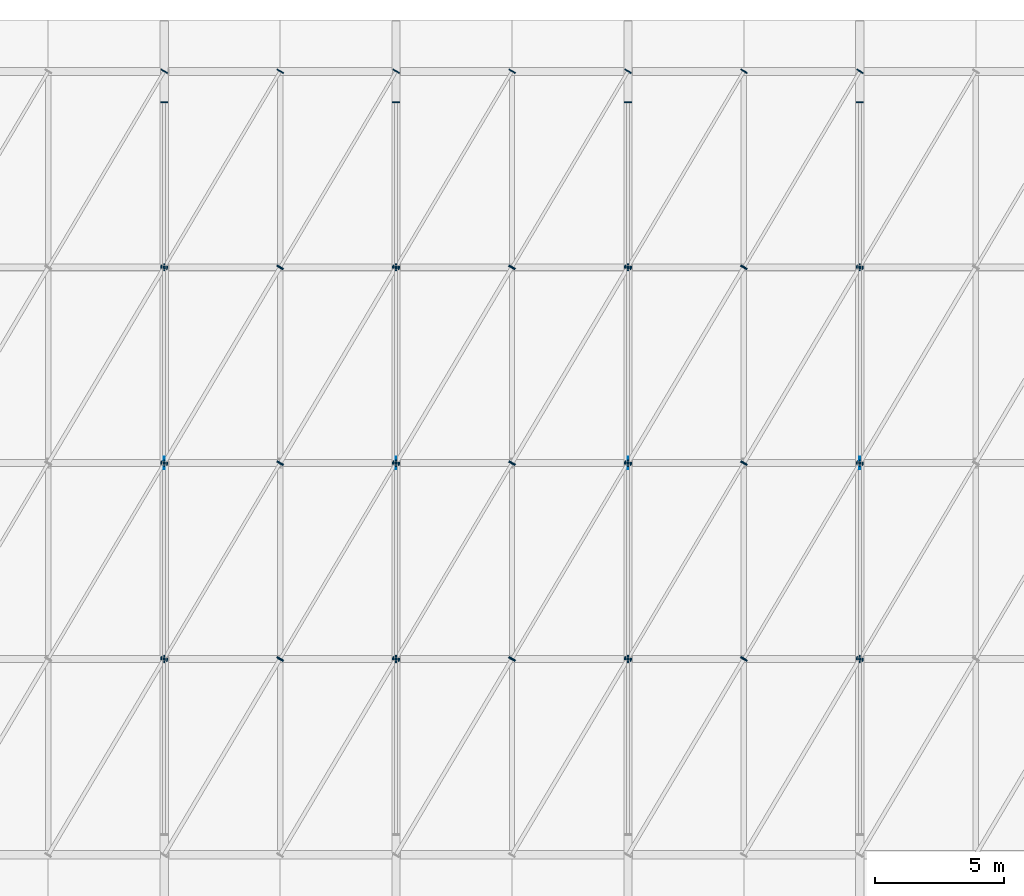
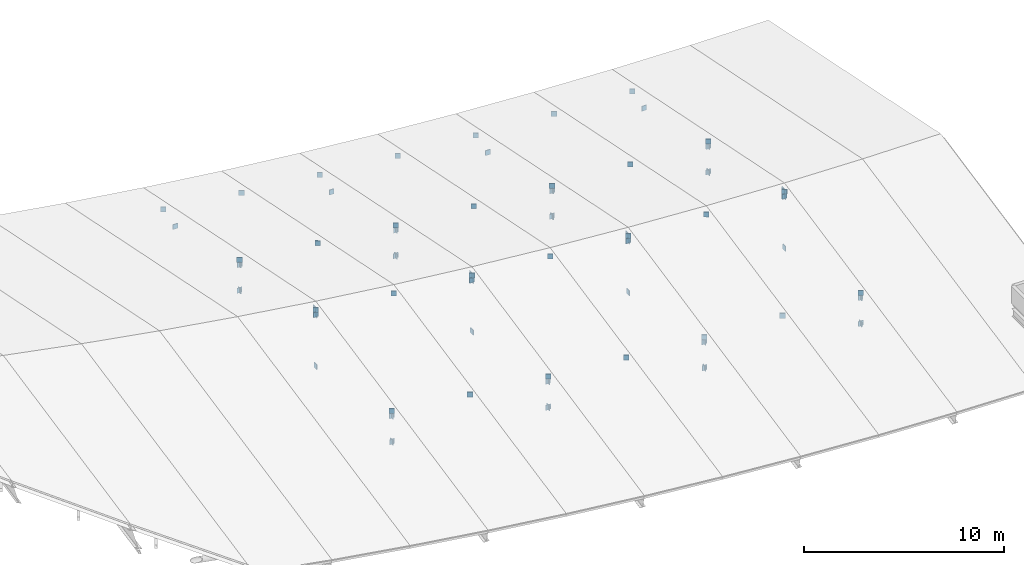
# One storey, part 18 of 21: 105 plates.
"""IFC4 building model written with IfcOpenShell, lengths in metres."""

from ifc_helpers import new_model, si_unit, direction, frame, origin, origin_2d, place, context, subcontext, project, spatial, rectangle, extrude, material, layer, layer_set, type_object, element, save


model = new_model("IFC4")

# Units and contexts
model_context = context("Model", 3, precision=1e-05, world=origin(), true_north=direction((0.0, 1.0)))
body_context = subcontext(model_context, "Body", "Model", "MODEL_VIEW")
ifc_project = project(units=[si_unit("LENGTHUNIT", "METRE"), si_unit("AREAUNIT", "SQUARE_METRE"), si_unit("VOLUMEUNIT", "CUBIC_METRE"), si_unit("PLANEANGLEUNIT", "RADIAN"), si_unit("MASSUNIT", "GRAM", prefix="KILO")], contexts=[model_context])

# Site, building, storey
site_placement = place(None, origin())
site = spatial("IfcSite", under=ifc_project, at=site_placement, CompositionType="ELEMENT")
building_placement = place(site_placement, origin())
building = spatial("IfcBuilding", under=site, at=building_placement, Name="Caisbarro Railhouse Central Library", CompositionType="ELEMENT")
storey_placement = place(building_placement, frame((0.0, 0.0, 26.639892578125)))
storey = spatial("IfcBuildingStorey", under=building, at=storey_placement, Name="RF", CompositionType="ELEMENT", Elevation=26.639892578125)

# Plates
ifc_material = material(Name="Steel ASTM A572 Grade 50", Category="steel")
ifc_layer_1 = layer(ifc_material, 0.044921875, Name="Steel ASTM A572 Grade 50")
ifc_layer_set_1 = layer_set([ifc_layer_1], Name="Steel ASTM A572 Grade 50")
plate_type_1 = type_object("IfcPlateType", Name="PLT-EP01", PredefinedType="SHEET", material=ifc_layer_set_1)
for number, where, z_axis, x_axis, name in (
    (1, (36.0, 38.0, -8.3701171875), (0.0, 0.0, 1.0), (1.0, 0.0, 0.0), "EP01 end cap plate"),
    (2, (36.0, 38.0, -6.78076171875), (0.0, 0.0, 1.0), (1.0, 0.0, 0.0), "EP01 end cap plate"),
    (3, (36.0, 45.60009765625, -8.3701171875), (0.0, 0.0, 1.0), (1.0, 0.0, 0.0), "EP01 end cap plate"),
    (4, (36.0, 45.60009765625, -5.23095703125), (0.0, 0.0, 1.0), (1.0, 0.0, 0.0), "EP01 end cap plate"),
    (5, (36.0, 53.199951171875, -8.3701171875), (0.0, 0.0, 1.0), (1.0, 0.0, 0.0), "EP01 end cap plate"),
    (6, (36.0, 53.199951171875, -6.78076171875), (0.0, 0.0, 1.0), (1.0, 0.0, 0.0), "EP01 end cap plate"),
    (7, (36.0, 38.01171875, -6.7900390625), (0.0, 0.0, 1.0), (0.0, 1.0, 0.0), "EP01 end cap plate"),
    (8, (36.0, 37.989013671875, -8.3623046875), (0.0, 0.0, 1.0), (0.0, 1.0, 0.0), "EP01 end cap plate"),
    (9, (36.0, 45.611083984375, -5.23828125), (0.0, 0.0, 1.0), (0.0, 1.0, 0.0), "EP01 end cap plate"),
    (10, (36.0, 59.611572265625, -8.36083984375), (0.0, 0.0, 1.0), (0.0, -1.0, 0.0), "EP01 end cap plate"),
    (11, (36.0, 53.188232421875, -6.7900390625), (0.0, 0.0, 1.0), (0.0, -1.0, 0.0), "EP01 end cap plate"),
    (12, (36.0, 53.211181640625, -8.3623046875), (0.0, 0.0, 1.0), (0.0, -1.0, 0.0), "EP01 end cap plate"),
    (13, (36.0, 45.5888671875, -5.23828125), (0.0, 0.0, 1.0), (0.0, -1.0, 0.0), "EP01 end cap plate"),
    (14, (45.0, 38.0, -9.419921875), (0.0, 0.0, 1.0), (1.0, 0.0, 0.0), "EP01 end cap plate"),
    (15, (45.0, 38.0, -7.8310546875), (0.0, 0.0, 1.0), (1.0, 0.0, 0.0), "EP01 end cap plate"),
    (16, (45.0, 45.60009765625, -9.419921875), (0.0, 0.0, 1.0), (1.0, 0.0, 0.0), "EP01 end cap plate"),
    (17, (45.0, 45.60009765625, -6.28076171875), (0.0, 0.0, 1.0), (1.0, 0.0, 0.0), "EP01 end cap plate"),
    (18, (45.0, 53.199951171875, -9.419921875), (0.0, 0.0, 1.0), (1.0, 0.0, 0.0), "EP01 end cap plate"),
    (19, (45.0, 53.199951171875, -7.8310546875), (0.0, 0.0, 1.0), (1.0, 0.0, 0.0), "EP01 end cap plate"),
    (20, (45.0, 38.01171875, -7.84033203125), (0.0, 0.0, 1.0), (0.0, 1.0, 0.0), "EP01 end cap plate"),
    (21, (45.0, 37.989013671875, -9.41259765625), (0.0, 0.0, 1.0), (0.0, 1.0, 0.0), "EP01 end cap plate"),
    (22, (45.0, 45.611083984375, -6.28857421875), (0.0, 0.0, 1.0), (0.0, 1.0, 0.0), "EP01 end cap plate"),
    (23, (45.0, 59.611572265625, -9.41064453125), (0.0, 0.0, 1.0), (0.0, -1.0, 0.0), "EP01 end cap plate"),
    (24, (45.0, 53.188232421875, -7.83984375), (0.0, 0.0, 1.0), (0.0, -1.0, 0.0), "EP01 end cap plate"),
    (25, (45.0, 53.211181640625, -9.41259765625), (0.0, 0.0, 1.0), (0.0, -1.0, 0.0), "EP01 end cap plate"),
    (26, (45.0, 45.5888671875, -6.28857421875), (0.0, 0.0, 1.0), (0.0, -1.0, 0.0), "EP01 end cap plate"),
    (27, (54.0, 38.0, -10.169921875), (0.0, 0.0, 1.0), (1.0, 0.0, 0.0), "EP01 end cap plate"),
    (28, (54.0, 38.0, -8.5810546875), (0.0, 0.0, 1.0), (1.0, 0.0, 0.0), "EP01 end cap plate"),
    (29, (54.0, 45.60009765625, -10.169921875), (0.0, 0.0, 1.0), (1.0, 0.0, 0.0), "EP01 end cap plate"),
    (30, (54.0, 45.60009765625, -7.03076171875), (0.0, 0.0, 1.0), (1.0, 0.0, 0.0), "EP01 end cap plate"),
    (31, (54.0, 53.199951171875, -10.169921875), (0.0, 0.0, 1.0), (1.0, 0.0, 0.0), "EP01 end cap plate"),
    (32, (54.0, 53.199951171875, -8.5810546875), (0.0, 0.0, 1.0), (1.0, 0.0, 0.0), "EP01 end cap plate"),
    (33, (54.0, 38.01171875, -8.59033203125), (0.0, 0.0, 1.0), (0.0, 1.0, 0.0), "EP01 end cap plate"),
    (34, (54.0, 37.989013671875, -10.16259765625), (0.0, 0.0, 1.0), (0.0, 1.0, 0.0), "EP01 end cap plate"),
    (35, (54.0, 45.611083984375, -7.03857421875), (0.0, 0.0, 1.0), (0.0, 1.0, 0.0), "EP01 end cap plate"),
    (36, (54.0, 59.611572265625, -10.16064453125), (0.0, 0.0, 1.0), (0.0, -1.0, 0.0), "EP01 end cap plate"),
    (37, (54.0, 53.188232421875, -8.58984375), (0.0, 0.0, 1.0), (0.0, -1.0, 0.0), "EP01 end cap plate"),
    (38, (54.0, 53.211181640625, -10.16259765625), (0.0, 0.0, 1.0), (0.0, -1.0, 0.0), "EP01 end cap plate"),
    (39, (54.0, 45.5888671875, -7.03857421875), (0.0, 0.0, 1.0), (0.0, -1.0, 0.0), "EP01 end cap plate"),
    (40, (63.0, 38.0, -10.6201171875), (0.0, 0.0, 1.0), (1.0, 0.0, 0.0), "EP01 end cap plate"),
    (41, (63.0, 38.0, -9.03076171875), (0.0, 0.0, 1.0), (1.0, 0.0, 0.0), "EP01 end cap plate"),
    (42, (63.0, 45.60009765625, -10.6201171875), (0.0, 0.0, 1.0), (1.0, 0.0, 0.0), "EP01 end cap plate"),
    (43, (63.0, 45.60009765625, -7.48095703125), (0.0, 0.0, 1.0), (1.0, 0.0, 0.0), "EP01 end cap plate"),
    (44, (63.0, 53.199951171875, -10.6201171875), (0.0, 0.0, 1.0), (1.0, 0.0, 0.0), "EP01 end cap plate"),
    (45, (63.0, 53.199951171875, -9.03076171875), (0.0, 0.0, 1.0), (1.0, 0.0, 0.0), "EP01 end cap plate"),
    (46, (63.0, 38.01171875, -9.0400390625), (0.0, 0.0, 1.0), (0.0, 1.0, 0.0), "EP01 end cap plate"),
    (47, (63.0, 37.989013671875, -10.6123046875), (0.0, 0.0, 1.0), (0.0, 1.0, 0.0), "EP01 end cap plate"),
    (48, (63.0, 45.611083984375, -7.48828125), (0.0, 0.0, 1.0), (0.0, 1.0, 0.0), "EP01 end cap plate"),
    (49, (63.0, 59.611572265625, -10.61083984375), (0.0, 0.0, 1.0), (0.0, -1.0, 0.0), "EP01 end cap plate"),
    (50, (63.0, 53.188232421875, -9.0400390625), (0.0, 0.0, 1.0), (0.0, -1.0, 0.0), "EP01 end cap plate"),
    (51, (63.0, 53.211181640625, -10.6123046875), (0.0, 0.0, 1.0), (0.0, -1.0, 0.0), "EP01 end cap plate"),
    (52, (63.0, 45.5888671875, -7.48828125), (0.0, 0.0, 1.0), (0.0, -1.0, 0.0), "EP01 end cap plate"),
    (53, (36.006103515625, 38.01025390625, -6.5087890625), (0.0, 0.0, 1.0), (0.509492029423, 0.860475375565, 0.0), "EP01 end cap plate"),
    (54, (36.006103515625, 45.6103515625, -4.95849609375), (0.0, 0.0, 1.0), (0.509492029423, 0.860475375565, 0.0), "EP01 end cap plate"),
    (55, (36.005859375, 53.2099609375, -6.5126953125), (0.0, 0.0, 1.0), (0.509492029423, 0.860475375565, 0.0), "EP01 end cap plate"),
    (56, (36.005859375, 60.81005859375, -8.06298828125), (0.0, 0.0, 1.0), (0.509492029423, 0.860475375565, 0.0), "EP01 end cap plate"),
    (57, (40.506103515625, 38.01025390625, -7.0712890625), (0.0, 0.0, 1.0), (0.509492029423, 0.860475375565, 0.0), "EP01 end cap plate"),
    (58, (35.993896484375, 37.98974609375, -6.51123046875), (0.0, 0.0, 1.0), (0.509492029423, 0.860475375565, 0.0), "EP01 end cap plate"),
    (59, (40.506103515625, 45.6103515625, -5.52099609375), (0.0, 0.0, 1.0), (0.509492029423, 0.860475375565, 0.0), "EP01 end cap plate"),
    (60, (35.994140625, 45.58984375, -4.95703125), (0.0, 0.0, 1.0), (0.509492029423, 0.860475375565, 0.0), "EP01 end cap plate"),
    (61, (40.505859375, 53.2099609375, -7.0751953125), (0.0, 0.0, 1.0), (0.509492029423, 0.860475375565, 0.0), "EP01 end cap plate"),
    (62, (35.994140625, 53.18994140625, -6.50732421875), (0.0, 0.0, 1.0), (0.509492029423, 0.860475375565, 0.0), "EP01 end cap plate"),
    (63, (40.505859375, 60.81005859375, -8.625), (0.0, 0.0, 1.0), (0.509492029423, 0.860475375565, 0.0), "EP01 end cap plate"),
    (64, (45.006103515625, 38.01025390625, -7.55859375), (0.0, 0.0, 1.0), (0.509492029423, 0.860475375565, 0.0), "EP01 end cap plate"),
    (65, (40.493896484375, 37.98974609375, -7.07373046875), (0.0, 0.0, 1.0), (0.509492029423, 0.860475375565, 0.0), "EP01 end cap plate"),
    (66, (45.006103515625, 45.6103515625, -6.00830078125), (0.0, 0.0, 1.0), (0.509492029423, 0.860475375565, 0.0), "EP01 end cap plate"),
    (67, (40.494140625, 45.58984375, -5.51953125), (0.0, 0.0, 1.0), (0.509492029423, 0.860475375565, 0.0), "EP01 end cap plate"),
    (68, (45.005859375, 53.2099609375, -7.5625), (0.0, 0.0, 1.0), (0.509492029423, 0.860475375565, 0.0), "EP01 end cap plate"),
    (69, (40.494140625, 53.18994140625, -7.06982421875), (0.0, 0.0, 1.0), (0.509492029423, 0.860475375565, 0.0), "EP01 end cap plate"),
    (70, (45.005859375, 60.81005859375, -9.11279296875), (0.0, 0.0, 1.0), (0.509492029423, 0.860475375565, 0.0), "EP01 end cap plate"),
    (71, (49.506103515625, 38.01025390625, -7.970703125), (0.0, 0.0, 1.0), (0.509492029423, 0.860475375565, 0.0), "EP01 end cap plate"),
    (72, (44.993896484375, 37.98974609375, -7.5615234375), (0.0, 0.0, 1.0), (0.509492029423, 0.860475375565, 0.0), "EP01 end cap plate"),
    (73, (49.506103515625, 45.6103515625, -6.4208984375), (0.0, 0.0, 1.0), (0.509492029423, 0.860475375565, 0.0), "EP01 end cap plate"),
    (74, (44.994140625, 45.58984375, -6.00732421875), (0.0, 0.0, 1.0), (0.509492029423, 0.860475375565, 0.0), "EP01 end cap plate"),
    (75, (49.505859375, 53.2099609375, -7.97509765625), (0.0, 0.0, 1.0), (0.509492029423, 0.860475375565, 0.0), "EP01 end cap plate"),
    (76, (44.994140625, 53.18994140625, -7.55712890625), (0.0, 0.0, 1.0), (0.509492029423, 0.860475375565, 0.0), "EP01 end cap plate"),
    (77, (49.505859375, 60.81005859375, -9.52490234375), (0.0, 0.0, 1.0), (0.509492029423, 0.860475375565, 0.0), "EP01 end cap plate"),
    (78, (54.006103515625, 38.01025390625, -8.30810546875), (0.0, 0.0, 1.0), (0.509492029423, 0.860475375565, 0.0), "EP01 end cap plate"),
    (79, (49.493896484375, 37.98974609375, -7.97412109375), (0.0, 0.0, 1.0), (0.509492029423, 0.860475375565, 0.0), "EP01 end cap plate"),
    (80, (54.006103515625, 45.6103515625, -6.75830078125), (0.0, 0.0, 1.0), (0.509492029423, 0.860475375565, 0.0), "EP01 end cap plate"),
    (81, (49.494140625, 45.58984375, -6.419921875), (0.0, 0.0, 1.0), (0.509492029423, 0.860475375565, 0.0), "EP01 end cap plate"),
    (82, (54.005859375, 53.210205078125, -8.3125), (0.0, 0.0, 1.0), (0.509492029423, 0.860475375565, 0.0), "EP01 end cap plate"),
    (83, (49.494140625, 53.18994140625, -7.9697265625), (0.0, 0.0, 1.0), (0.509492029423, 0.860475375565, 0.0), "EP01 end cap plate"),
    (84, (54.005859375, 60.81005859375, -9.8623046875), (0.0, 0.0, 1.0), (0.509492029423, 0.860475375565, 0.0), "EP01 end cap plate"),
    (85, (58.506103515625, 38.01025390625, -8.57080078125), (0.0, 0.0, 1.0), (0.509492029423, 0.860475375565, 0.0), "EP01 end cap plate"),
    (86, (53.993896484375, 37.98974609375, -8.3115234375), (0.0, 0.0, 1.0), (0.509492029423, 0.860475375565, 0.0), "EP01 end cap plate"),
    (87, (58.506103515625, 45.610107421875, -7.0205078125), (0.0, 0.0, 1.0), (0.509492029423, 0.860475375565, 0.0), "EP01 end cap plate"),
    (88, (53.993896484375, 45.58984375, -6.75732421875), (0.0, 0.0, 1.0), (0.509492029423, 0.860475375565, 0.0), "EP01 end cap plate"),
    (89, (58.506103515625, 53.210205078125, -8.57470703125), (0.0, 0.0, 1.0), (0.509492029423, 0.860475375565, 0.0), "EP01 end cap plate"),
    (90, (53.993896484375, 53.18994140625, -8.3076171875), (0.0, 0.0, 1.0), (0.509492029423, 0.860475375565, 0.0), "EP01 end cap plate"),
    (91, (58.506103515625, 60.81005859375, -10.125), (0.0, 0.0, 1.0), (0.509492029423, 0.860475375565, 0.0), "EP01 end cap plate"),
    (92, (63.006103515625, 38.01025390625, -8.75830078125), (0.0, 0.0, 1.0), (0.509492029423, 0.860475375565, 0.0), "EP01 end cap plate"),
    (93, (58.493896484375, 37.98974609375, -8.57421875), (0.0, 0.0, 1.0), (0.509492029423, 0.860475375565, 0.0), "EP01 end cap plate"),
    (94, (63.006103515625, 45.610107421875, -7.2080078125), (0.0, 0.0, 1.0), (0.509492029423, 0.860475375565, 0.0), "EP01 end cap plate"),
    (95, (58.493896484375, 45.58984375, -7.02001953125), (0.0, 0.0, 1.0), (0.509492029423, 0.860475375565, 0.0), "EP01 end cap plate"),
    (96, (63.006103515625, 53.210205078125, -8.76220703125), (0.0, 0.0, 1.0), (0.509492029423, 0.860475375565, 0.0), "EP01 end cap plate"),
    (97, (58.493896484375, 53.18994140625, -8.5703125), (0.0, 0.0, 1.0), (0.509492029423, 0.860475375565, 0.0), "EP01 end cap plate"),
    (98, (63.006103515625, 60.81005859375, -10.31201171875), (0.0, 0.0, 1.0), (0.509492029423, 0.860475375565, 0.0), "EP01 end cap plate"),
    (99, (62.993896484375, 37.98974609375, -8.76171875), (0.0, 0.0, 1.0), (0.509492029423, 0.860475375565, 0.0), "EP01 end cap plate"),
    (100, (62.993896484375, 45.58984375, -7.20751953125), (0.0, 0.0, 1.0), (0.509492029423, 0.860475375565, 0.0), "EP01 end cap plate"),
    (101, (62.993896484375, 53.18994140625, -8.7578125), (0.0, 0.0, 1.0), (0.509492029423, 0.860475375565, 0.0), "EP01 end cap plate"),
):
    element("IfcPlate", number, at=place(storey_placement, frame(where, z_axis=z_axis, x_axis=x_axis)), inside=storey, type_object=plate_type_1, Name=name, PredefinedType="SHEET", context=body_context, shape_type="SweptSolid", body=[
        extrude(rectangle(XDim=0.044921875, YDim=0.280029296875, at=origin_2d()), origin(), (0.0, 0.0, 1.0), 0.300048828125),
    ])
ifc_layer_2 = layer(ifc_material, 0.033935546875, Name="Steel ASTM A572 Grade 50")
ifc_layer_set_2 = layer_set([ifc_layer_2], Name="Steel ASTM A572 Grade 50")
plate_type_2 = type_object("IfcPlateType", Name="PLT-NP01", PredefinedType="SHEET", material=ifc_layer_set_2)
for number, where, z_axis, x_axis, name in (
    (102, (36.0, 45.60009765625, -4.98974609375), (0.0, 0.0, 1.0), (0.0, 1.0, 0.0), "NP01 Gridshell Crown Gusset Node 5"),
    (103, (45.0, 45.60009765625, -6.0400390625), (0.0, 0.0, 1.0), (0.0, 1.0, 0.0), "NP01 Gridshell Crown Gusset Node 6"),
    (104, (54.0, 45.60009765625, -6.7900390625), (0.0, 0.0, 1.0), (0.0, 1.0, 0.0), "NP01 Gridshell Crown Gusset Node 7"),
    (105, (63.0, 45.60009765625, -7.23974609375), (0.0, 0.0, 1.0), (0.0, 1.0, 0.0), "NP01 Gridshell Crown Gusset Node 8"),
):
    element("IfcPlate", number, at=place(storey_placement, frame(where, z_axis=z_axis, x_axis=x_axis)), inside=storey, type_object=plate_type_2, Name=name, PredefinedType="SHEET", context=body_context, shape_type="SweptSolid", body=[
        extrude(rectangle(XDim=0.47998046875, YDim=0.033935546875, at=origin_2d()), origin(), (0.0, 0.0, 1.0), 0.360107421875),
    ])

save(model, "model.ifc")
